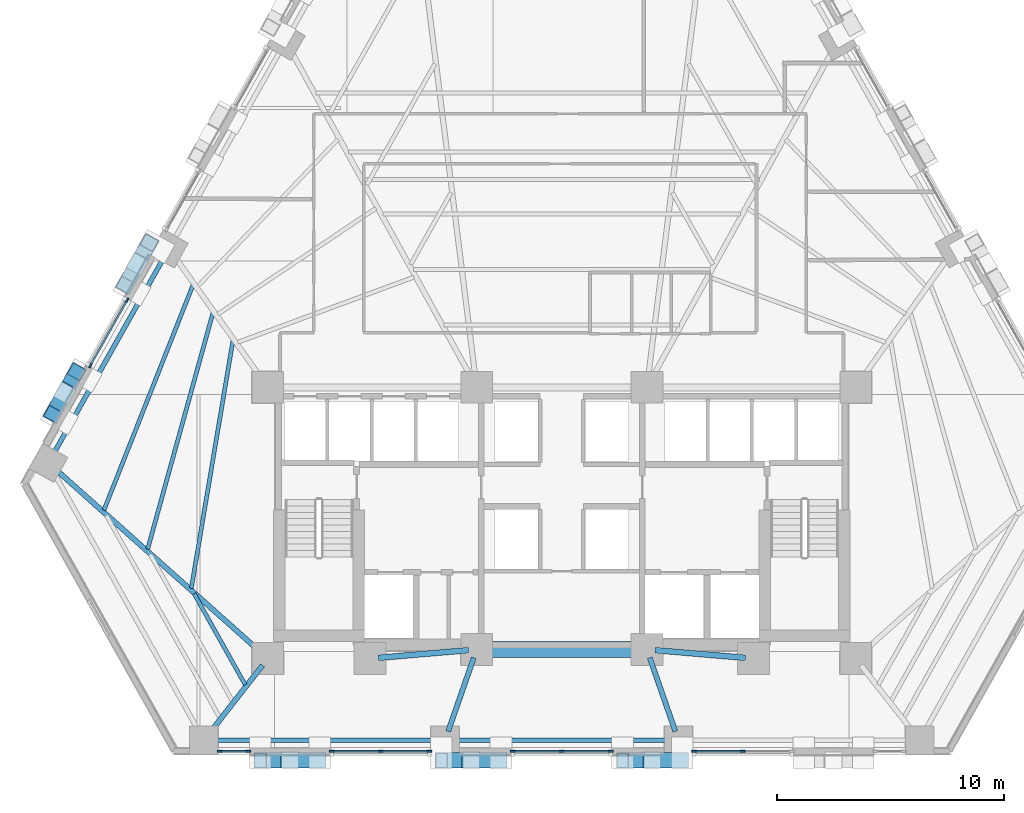
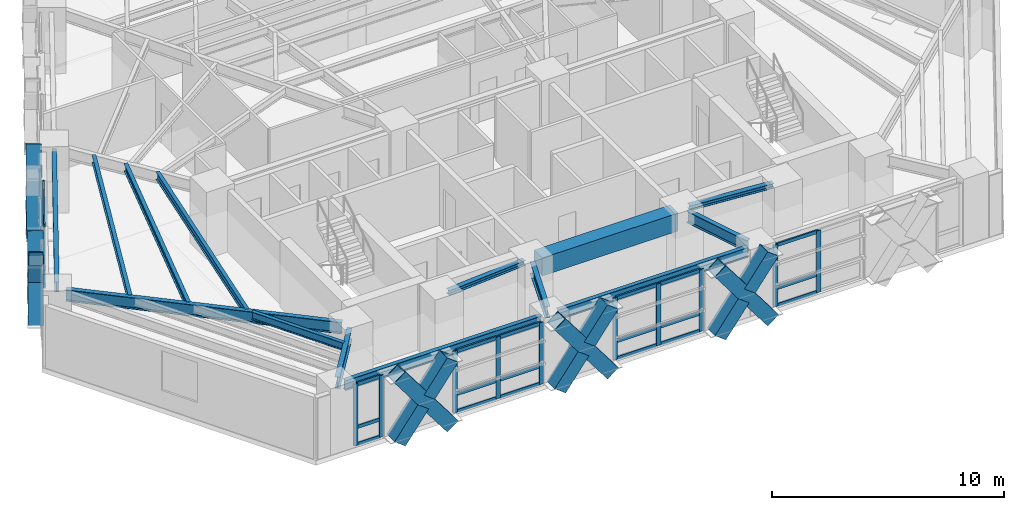
# One storey, part 2 of 13: 46 members, 14 beams, 5 elements without a shape of their own.
"""IFC4 building model written with IfcOpenShell, lengths in metres."""

from ifc_helpers import new_model, si_unit, direction, frame, origin, origin_2d, place, context, subcontext, project, spatial, rectangle, hollow_rectangle, i_section, extrude, material, material_profile, profile_set, type_object, element, aggregate, save


model = new_model("IFC4")

# Units and contexts
model_context = context("Model", 3, precision=1e-05, world=origin(), true_north=direction((0.0, 1.0)))
body_context = subcontext(model_context, "Body", "Model", "MODEL_VIEW")
ifc_project = project(units=[si_unit("LENGTHUNIT", "METRE"), si_unit("AREAUNIT", "SQUARE_METRE"), si_unit("VOLUMEUNIT", "CUBIC_METRE"), si_unit("PLANEANGLEUNIT", "RADIAN"), si_unit("MASSUNIT", "GRAM", prefix="KILO")], contexts=[model_context])

# Site, building, storey
site_placement = place(None, origin())
site = spatial("IfcSite", under=ifc_project, at=site_placement, CompositionType="ELEMENT")
building_placement = place(site_placement, origin())
building = spatial("IfcBuilding", under=site, at=building_placement, Name="Quenlor Broadcast Tower", CompositionType="ELEMENT")
storey_placement = place(building_placement, frame((0.0, 0.0, 41.60009765625)))
storey = spatial("IfcBuildingStorey", under=building, at=storey_placement, Name="L10", CompositionType="ELEMENT", Elevation=41.60009765625)

# Curtain wall, members
ifc_material_1 = material(Name="Architectural Terracotta and Low-E Glazing", Category="masonry")
curtain_wall_type = type_object("IfcCurtainWallType", Name="Unitised Terracotta Curtain Wall System Z1", PredefinedType="NOTDEFINED", material=ifc_material_1)
curtain_wall_1_placement = place(storey_placement, origin())
curtain_wall_1 = element("IfcCurtainWall", 1, at=curtain_wall_1_placement, inside=storey, type_object=curtain_wall_type, Name="L10 Curtain Wall CW1 (L10-SA-G2)", PredefinedType="NOTDEFINED")
ifc_material_2 = material(Name="Aluminium 6063-T6", Category="aluminium")
ifc_material_profile_1 = material_profile(ifc_material_2, rectangle(XDim=0.080078125, YDim=0.219970703125, at=origin_2d()))
ifc_profile_set_1 = profile_set([ifc_material_profile_1], Name="Aluminium 6063-T6 MULL80x220")
member_type_1 = type_object("IfcMemberType", Name="CW1 Aluminium Mullion MULL_CW1", PredefinedType="MULLION", material=ifc_profile_set_1)
member_1_placement = place(storey_placement, frame((7.982666015625, -20.840087890625, 0.0), z_axis=(0.0, 0.0, 1.0), x_axis=(0.0, -1.0, 0.0)))
member_1 = element("IfcMember", 2, at=member_1_placement, type_object=member_type_1, Name="CW1 mullion 2", PredefinedType="MULLION", context=body_context, shape_type="SweptSolid", body=[
    extrude(rectangle(XDim=0.080078125, YDim=0.219970703125, at=origin_2d()), origin(), (0.0, 0.0, 1.0), 3.25),
])
member_2_placement = place(storey_placement, frame((5.830810546875, -20.840087890625, 0.0), z_axis=(0.0, 0.0, 1.0), x_axis=(0.0, -1.0, 0.0)))
member_2 = element("IfcMember", 3, at=member_2_placement, type_object=member_type_1, Name="CW1 mullion 3", PredefinedType="MULLION", context=body_context, shape_type="SweptSolid", body=[
    extrude(rectangle(XDim=0.080078125, YDim=0.219970703125, at=origin_2d()), origin(), (0.0, 0.0, 1.0), 3.25),
])

curtain_wall_2_placement = place(storey_placement, origin())
curtain_wall_2 = element("IfcCurtainWall", 4, at=curtain_wall_2_placement, inside=storey, type_object=curtain_wall_type, Name="L10 Curtain Wall CW1 (L10-SC-G1)", PredefinedType="NOTDEFINED")
member_3_placement = place(storey_placement, frame((-5.830810546875, -20.840087890625, 0.0), z_axis=(0.0, 0.0, 1.0), x_axis=(0.0, -1.0, 0.0)))
member_3 = element("IfcMember", 5, at=member_3_placement, type_object=member_type_1, Name="CW1 mullion 1", PredefinedType="MULLION", context=body_context, shape_type="SweptSolid", body=[
    extrude(rectangle(XDim=0.080078125, YDim=0.219970703125, at=origin_2d()), origin(), (0.0, 0.0, 1.0), 3.25),
])
member_4_placement = place(storey_placement, frame((-7.982666015625, -20.840087890625, 0.0), z_axis=(0.0, 0.0, 1.0), x_axis=(0.0, -1.0, 0.0)))
member_4 = element("IfcMember", 6, at=member_4_placement, type_object=member_type_1, Name="CW1 mullion 2", PredefinedType="MULLION", context=body_context, shape_type="SweptSolid", body=[
    extrude(rectangle(XDim=0.080078125, YDim=0.219970703125, at=origin_2d()), origin(), (0.0, 0.0, 1.0), 3.25),
])
member_5_placement = place(storey_placement, frame((-10.134765625, -20.840087890625, 0.0), z_axis=(0.0, 0.0, 1.0), x_axis=(0.0, -1.0, 0.0)))
member_5 = element("IfcMember", 7, at=member_5_placement, type_object=member_type_1, Name="CW1 mullion 3", PredefinedType="MULLION", context=body_context, shape_type="SweptSolid", body=[
    extrude(rectangle(XDim=0.080078125, YDim=0.219970703125, at=origin_2d()), origin(), (0.0, 0.0, 1.0), 3.25),
])

curtain_wall_3_placement = place(storey_placement, origin())
curtain_wall_3 = element("IfcCurtainWall", 8, at=curtain_wall_3_placement, inside=storey, type_object=curtain_wall_type, Name="L10 Curtain Wall CW1 (L10-SC-G2)", PredefinedType="NOTDEFINED")
member_6_placement = place(storey_placement, frame((-13.806884765625, -20.840087890625, 0.0), z_axis=(0.0, 0.0, 1.0), x_axis=(0.0, -1.0, 0.0)))
member_6 = element("IfcMember", 9, at=member_6_placement, type_object=member_type_1, Name="CW1 mullion 1", PredefinedType="MULLION", context=body_context, shape_type="SweptSolid", body=[
    extrude(rectangle(XDim=0.080078125, YDim=0.219970703125, at=origin_2d()), origin(), (0.0, 0.0, 1.0), 3.25),
])
member_7_placement = place(storey_placement, frame((-15.0751953125, -20.840087890625, 0.0), z_axis=(0.0, 0.0, 1.0), x_axis=(0.0, -1.0, 0.0)))
member_7 = element("IfcMember", 10, at=member_7_placement, type_object=member_type_1, Name="CW1 mullion 2", PredefinedType="MULLION", context=body_context, shape_type="SweptSolid", body=[
    extrude(rectangle(XDim=0.080078125, YDim=0.219970703125, at=origin_2d()), origin(), (0.0, 0.0, 1.0), 3.25),
])

curtain_wall_4_placement = place(storey_placement, origin())
curtain_wall_4 = element("IfcCurtainWall", 11, at=curtain_wall_4_placement, inside=storey, type_object=curtain_wall_type, Name="L10 Curtain Wall CW1 (L10-S-G1)", PredefinedType="NOTDEFINED")
member_8_placement = place(storey_placement, frame((2.154296875, -20.840087890625, 0.0), z_axis=(0.0, 0.0, 1.0), x_axis=(0.0, -1.0, 0.0)))
member_8 = element("IfcMember", 12, at=member_8_placement, type_object=member_type_1, Name="CW1 mullion 1", PredefinedType="MULLION", context=body_context, shape_type="SweptSolid", body=[
    extrude(rectangle(XDim=0.080078125, YDim=0.219970703125, at=origin_2d()), origin(), (0.0, 0.0, 1.0), 3.25),
])
member_9_placement = place(storey_placement, frame((0.0, -20.840087890625, 0.0), z_axis=(0.0, 0.0, 1.0), x_axis=(0.0, -1.0, 0.0)))
member_9 = element("IfcMember", 13, at=member_9_placement, type_object=member_type_1, Name="CW1 mullion 2", PredefinedType="MULLION", context=body_context, shape_type="SweptSolid", body=[
    extrude(rectangle(XDim=0.080078125, YDim=0.219970703125, at=origin_2d()), origin(), (0.0, 0.0, 1.0), 3.25),
])
member_10_placement = place(storey_placement, frame((-2.154296875, -20.840087890625, 0.0), z_axis=(0.0, 0.0, 1.0), x_axis=(0.0, -1.0, 0.0)))
member_10 = element("IfcMember", 14, at=member_10_placement, type_object=member_type_1, Name="CW1 mullion 3", PredefinedType="MULLION", context=body_context, shape_type="SweptSolid", body=[
    extrude(rectangle(XDim=0.080078125, YDim=0.219970703125, at=origin_2d()), origin(), (0.0, 0.0, 1.0), 3.25),
])

curtain_wall_5_placement = place(storey_placement, origin())
curtain_wall_5 = element("IfcCurtainWall", 15, at=curtain_wall_5_placement, inside=storey, type_object=curtain_wall_type, Name="L10 Curtain Wall CW1 (L10-NWA-G1)", PredefinedType="NOTDEFINED")
member_11_placement = place(storey_placement, frame((-20.764892578125, -3.841552734375, 0.0), z_axis=(0.0, 0.0, 1.0), x_axis=(-0.871577906875, 0.49025702672, 0.0)))
member_11 = element("IfcMember", 16, at=member_11_placement, type_object=member_type_1, Name="CW1 mullion 1", PredefinedType="MULLION", context=body_context, shape_type="SweptSolid", body=[
    extrude(rectangle(XDim=0.080078125, YDim=0.219970703125, at=origin_2d()), origin(), (0.0, 0.0, 1.0), 3.25),
])
member_12_placement = place(storey_placement, frame((-19.146484375, -0.964599609375, 0.0), z_axis=(0.0, 0.0, 1.0), x_axis=(-0.871577906875, 0.49025702672, 0.0)))
member_12 = element("IfcMember", 17, at=member_12_placement, type_object=member_type_1, Name="CW1 mullion 2", PredefinedType="MULLION", context=body_context, shape_type="SweptSolid", body=[
    extrude(rectangle(XDim=0.080078125, YDim=0.219970703125, at=origin_2d()), origin(), (0.0, 0.0, 1.0), 3.25),
])

# Member
ifc_material_3 = material(Name="Aluminium 6063-T6", Category="aluminium")
ifc_material_profile_2 = material_profile(ifc_material_3, rectangle(XDim=0.080078125, YDim=0.179931640625, at=origin_2d()))
ifc_profile_set_2 = profile_set([ifc_material_profile_2], Name="Aluminium 6063-T6 TRAN80x180")
member_type_2 = type_object("IfcMemberType", Name="CW1 Aluminium Transom TRAN_CW1", PredefinedType="USERDEFINED", material=ifc_profile_set_2)
member_13_placement = place(storey_placement, frame((7.94287109375, -20.840087890625, 0.039794921875), z_axis=(-1.0, 0.0, 0.0), x_axis=(0.0, -1.0, 0.0)))
member_13 = element("IfcMember", 18, at=member_13_placement, type_object=member_type_2, Name="CW1 transom 2.1", ObjectType="TRANSOM", PredefinedType="USERDEFINED", context=body_context, shape_type="SweptSolid", body=[
    extrude(rectangle(XDim=0.080078125, YDim=0.179931640625, at=origin_2d()), origin(), (0.0, 0.0, 1.0), 2.072021484375),
])

member_14_placement = place(storey_placement, frame((7.94287109375, -20.840087890625, 0.949951171875), z_axis=(-1.0, 0.0, 0.0), x_axis=(0.0, -1.0, 0.0)))
member_14 = element("IfcMember", 19, at=member_14_placement, type_object=member_type_2, Name="CW1 transom 2.2", ObjectType="TRANSOM", PredefinedType="USERDEFINED", context=body_context, shape_type="SweptSolid", body=[
    extrude(rectangle(XDim=0.080078125, YDim=0.179931640625, at=origin_2d()), origin(), (0.0, 0.0, 1.0), 2.072021484375),
])

member_15_placement = place(storey_placement, frame((7.94287109375, -20.840087890625, 3.2099609375), z_axis=(-1.0, 0.0, 0.0), x_axis=(0.0, -1.0, 0.0)))
member_15 = element("IfcMember", 20, at=member_15_placement, type_object=member_type_2, Name="CW1 transom 2.3", ObjectType="TRANSOM", PredefinedType="USERDEFINED", context=body_context, shape_type="SweptSolid", body=[
    extrude(rectangle(XDim=0.080078125, YDim=0.179931640625, at=origin_2d()), origin(), (0.0, 0.0, 1.0), 2.072021484375),
])

aggregate(curtain_wall_1, [member_1, member_2, member_13, member_14, member_15])

member_16_placement = place(storey_placement, frame((-5.870849609375, -20.840087890625, 0.039794921875), z_axis=(-1.0, 0.0, 0.0), x_axis=(0.0, -1.0, 0.0)))
member_16 = element("IfcMember", 21, at=member_16_placement, type_object=member_type_2, Name="CW1 transom 1.1", ObjectType="TRANSOM", PredefinedType="USERDEFINED", context=body_context, shape_type="SweptSolid", body=[
    extrude(rectangle(XDim=0.080078125, YDim=0.179931640625, at=origin_2d()), origin(), (0.0, 0.0, 1.0), 2.072021484375),
])

member_17_placement = place(storey_placement, frame((-5.870849609375, -20.840087890625, 0.949951171875), z_axis=(-1.0, 0.0, 0.0), x_axis=(0.0, -1.0, 0.0)))
member_17 = element("IfcMember", 22, at=member_17_placement, type_object=member_type_2, Name="CW1 transom 1.2", ObjectType="TRANSOM", PredefinedType="USERDEFINED", context=body_context, shape_type="SweptSolid", body=[
    extrude(rectangle(XDim=0.080078125, YDim=0.179931640625, at=origin_2d()), origin(), (0.0, 0.0, 1.0), 2.072021484375),
])

member_18_placement = place(storey_placement, frame((-5.870849609375, -20.840087890625, 3.2099609375), z_axis=(-1.0, 0.0, 0.0), x_axis=(0.0, -1.0, 0.0)))
member_18 = element("IfcMember", 23, at=member_18_placement, type_object=member_type_2, Name="CW1 transom 1.3", ObjectType="TRANSOM", PredefinedType="USERDEFINED", context=body_context, shape_type="SweptSolid", body=[
    extrude(rectangle(XDim=0.080078125, YDim=0.179931640625, at=origin_2d()), origin(), (0.0, 0.0, 1.0), 2.072021484375),
])

member_19_placement = place(storey_placement, frame((-8.022705078125, -20.840087890625, 0.039794921875), z_axis=(-1.0, 0.0, 0.0), x_axis=(0.0, -1.0, 0.0)))
member_19 = element("IfcMember", 24, at=member_19_placement, type_object=member_type_2, Name="CW1 transom 2.1", ObjectType="TRANSOM", PredefinedType="USERDEFINED", context=body_context, shape_type="SweptSolid", body=[
    extrude(rectangle(XDim=0.080078125, YDim=0.179931640625, at=origin_2d()), origin(), (0.0, 0.0, 1.0), 2.072021484375),
])

member_20_placement = place(storey_placement, frame((-8.022705078125, -20.840087890625, 0.949951171875), z_axis=(-1.0, 0.0, 0.0), x_axis=(0.0, -1.0, 0.0)))
member_20 = element("IfcMember", 25, at=member_20_placement, type_object=member_type_2, Name="CW1 transom 2.2", ObjectType="TRANSOM", PredefinedType="USERDEFINED", context=body_context, shape_type="SweptSolid", body=[
    extrude(rectangle(XDim=0.080078125, YDim=0.179931640625, at=origin_2d()), origin(), (0.0, 0.0, 1.0), 2.072021484375),
])

member_21_placement = place(storey_placement, frame((-8.022705078125, -20.840087890625, 3.2099609375), z_axis=(-1.0, 0.0, 0.0), x_axis=(0.0, -1.0, 0.0)))
member_21 = element("IfcMember", 26, at=member_21_placement, type_object=member_type_2, Name="CW1 transom 2.3", ObjectType="TRANSOM", PredefinedType="USERDEFINED", context=body_context, shape_type="SweptSolid", body=[
    extrude(rectangle(XDim=0.080078125, YDim=0.179931640625, at=origin_2d()), origin(), (0.0, 0.0, 1.0), 2.072021484375),
])

aggregate(curtain_wall_2, [member_3, member_4, member_5, member_16, member_17, member_18, member_19, member_20, member_21])

member_22_placement = place(storey_placement, frame((-13.8466796875, -20.840087890625, 0.039794921875), z_axis=(-1.0, 0.0, 0.0), x_axis=(0.0, -1.0, 0.0)))
member_22 = element("IfcMember", 27, at=member_22_placement, type_object=member_type_2, Name="CW1 transom 1.1", ObjectType="TRANSOM", PredefinedType="USERDEFINED", context=body_context, shape_type="SweptSolid", body=[
    extrude(rectangle(XDim=0.080078125, YDim=0.179931640625, at=origin_2d()), origin(), (0.0, 0.0, 1.0), 1.1884765625),
])

member_23_placement = place(storey_placement, frame((-13.8466796875, -20.840087890625, 0.949951171875), z_axis=(-1.0, 0.0, 0.0), x_axis=(0.0, -1.0, 0.0)))
member_23 = element("IfcMember", 28, at=member_23_placement, type_object=member_type_2, Name="CW1 transom 1.2", ObjectType="TRANSOM", PredefinedType="USERDEFINED", context=body_context, shape_type="SweptSolid", body=[
    extrude(rectangle(XDim=0.080078125, YDim=0.179931640625, at=origin_2d()), origin(), (0.0, 0.0, 1.0), 1.1884765625),
])

member_24_placement = place(storey_placement, frame((-13.8466796875, -20.840087890625, 3.2099609375), z_axis=(-1.0, 0.0, 0.0), x_axis=(0.0, -1.0, 0.0)))
member_24 = element("IfcMember", 29, at=member_24_placement, type_object=member_type_2, Name="CW1 transom 1.3", ObjectType="TRANSOM", PredefinedType="USERDEFINED", context=body_context, shape_type="SweptSolid", body=[
    extrude(rectangle(XDim=0.080078125, YDim=0.179931640625, at=origin_2d()), origin(), (0.0, 0.0, 1.0), 1.1884765625),
])

aggregate(curtain_wall_3, [member_6, member_7, member_22, member_23, member_24])

member_25_placement = place(storey_placement, frame((2.1142578125, -20.840087890625, 0.039794921875), z_axis=(-1.0, 0.0, 0.0), x_axis=(0.0, -1.0, 0.0)))
member_25 = element("IfcMember", 30, at=member_25_placement, type_object=member_type_2, Name="CW1 transom 1.1", ObjectType="TRANSOM", PredefinedType="USERDEFINED", context=body_context, shape_type="SweptSolid", body=[
    extrude(rectangle(XDim=0.080078125, YDim=0.179931640625, at=origin_2d()), origin(), (0.0, 0.0, 1.0), 2.07421875),
])

member_26_placement = place(storey_placement, frame((2.1142578125, -20.840087890625, 0.949951171875), z_axis=(-1.0, 0.0, 0.0), x_axis=(0.0, -1.0, 0.0)))
member_26 = element("IfcMember", 31, at=member_26_placement, type_object=member_type_2, Name="CW1 transom 1.2", ObjectType="TRANSOM", PredefinedType="USERDEFINED", context=body_context, shape_type="SweptSolid", body=[
    extrude(rectangle(XDim=0.080078125, YDim=0.179931640625, at=origin_2d()), origin(), (0.0, 0.0, 1.0), 2.07421875),
])

member_27_placement = place(storey_placement, frame((2.1142578125, -20.840087890625, 3.2099609375), z_axis=(-1.0, 0.0, 0.0), x_axis=(0.0, -1.0, 0.0)))
member_27 = element("IfcMember", 32, at=member_27_placement, type_object=member_type_2, Name="CW1 transom 1.3", ObjectType="TRANSOM", PredefinedType="USERDEFINED", context=body_context, shape_type="SweptSolid", body=[
    extrude(rectangle(XDim=0.080078125, YDim=0.179931640625, at=origin_2d()), origin(), (0.0, 0.0, 1.0), 2.07421875),
])

member_28_placement = place(storey_placement, frame((-0.0400390625, -20.840087890625, 0.039794921875), z_axis=(-1.0, 0.0, 0.0), x_axis=(0.0, -1.0, 0.0)))
member_28 = element("IfcMember", 33, at=member_28_placement, type_object=member_type_2, Name="CW1 transom 2.1", ObjectType="TRANSOM", PredefinedType="USERDEFINED", context=body_context, shape_type="SweptSolid", body=[
    extrude(rectangle(XDim=0.080078125, YDim=0.179931640625, at=origin_2d()), origin(), (0.0, 0.0, 1.0), 2.07421875),
])

member_29_placement = place(storey_placement, frame((-0.0400390625, -20.840087890625, 0.949951171875), z_axis=(-1.0, 0.0, 0.0), x_axis=(0.0, -1.0, 0.0)))
member_29 = element("IfcMember", 34, at=member_29_placement, type_object=member_type_2, Name="CW1 transom 2.2", ObjectType="TRANSOM", PredefinedType="USERDEFINED", context=body_context, shape_type="SweptSolid", body=[
    extrude(rectangle(XDim=0.080078125, YDim=0.179931640625, at=origin_2d()), origin(), (0.0, 0.0, 1.0), 2.07421875),
])

member_30_placement = place(storey_placement, frame((-0.0400390625, -20.840087890625, 3.2099609375), z_axis=(-1.0, 0.0, 0.0), x_axis=(0.0, -1.0, 0.0)))
member_30 = element("IfcMember", 35, at=member_30_placement, type_object=member_type_2, Name="CW1 transom 2.3", ObjectType="TRANSOM", PredefinedType="USERDEFINED", context=body_context, shape_type="SweptSolid", body=[
    extrude(rectangle(XDim=0.080078125, YDim=0.179931640625, at=origin_2d()), origin(), (0.0, 0.0, 1.0), 2.07421875),
])

aggregate(curtain_wall_4, [member_8, member_9, member_10, member_25, member_26, member_27, member_28, member_29, member_30])

member_31_placement = place(storey_placement, frame((-20.7451171875, -3.806884765625, 0.039794921875), z_axis=(0.490250443683, 0.871581609758, 0.0), x_axis=(-0.871581609758, 0.490250443683, 0.0)))
member_31 = element("IfcMember", 36, at=member_31_placement, type_object=member_type_2, Name="CW1 transom 1.1", ObjectType="TRANSOM", PredefinedType="USERDEFINED", context=body_context, shape_type="SweptSolid", body=[
    extrude(rectangle(XDim=0.080078125, YDim=0.179931640625, at=origin_2d()), origin(), (0.0, 0.0, 1.0), 3.220947265625),
])

member_32_placement = place(storey_placement, frame((-20.7451171875, -3.806884765625, 0.949951171875), z_axis=(0.490250443683, 0.871581609758, 0.0), x_axis=(-0.871581609758, 0.490250443683, 0.0)))
member_32 = element("IfcMember", 37, at=member_32_placement, type_object=member_type_2, Name="CW1 transom 1.2", ObjectType="TRANSOM", PredefinedType="USERDEFINED", context=body_context, shape_type="SweptSolid", body=[
    extrude(rectangle(XDim=0.080078125, YDim=0.179931640625, at=origin_2d()), origin(), (0.0, 0.0, 1.0), 3.220947265625),
])

member_33_placement = place(storey_placement, frame((-20.7451171875, -3.806884765625, 3.2099609375), z_axis=(0.490250443683, 0.871581609758, 0.0), x_axis=(-0.871581609758, 0.490250443683, 0.0)))
member_33 = element("IfcMember", 38, at=member_33_placement, type_object=member_type_2, Name="CW1 transom 1.3", ObjectType="TRANSOM", PredefinedType="USERDEFINED", context=body_context, shape_type="SweptSolid", body=[
    extrude(rectangle(XDim=0.080078125, YDim=0.179931640625, at=origin_2d()), origin(), (0.0, 0.0, 1.0), 3.220947265625),
])

aggregate(curtain_wall_5, [member_11, member_12, member_31, member_32, member_33])

# Beams
ifc_material_4 = material(Name="Concrete C50/60", Category="concrete")
ifc_material_profile_3 = material_profile(ifc_material_4, rectangle(XDim=0.699951171875, YDim=0.949951171875, at=origin_2d()))
ifc_profile_set_3 = profile_set([ifc_material_profile_3], Name="Concrete C50/60 RCB700x950")
beam_type_1 = type_object("IfcBeamType", Name="Core Coupling Beam Concrete C50/60 700x950", PredefinedType="BEAM", material=ifc_profile_set_3)
beam_1_placement = place(storey_placement, frame((-3.389892578125, -16.35009765625, 2.77490234375), z_axis=(1.0, 0.0, 0.0), x_axis=(0.0, 1.0, 0.0)))
element("IfcBeam", 39, at=beam_1_placement, inside=storey, type_object=beam_type_1, Name="L10 Core Coupling Beam 6", PredefinedType="BEAM", context=body_context, shape_type="SweptSolid", body=[
    extrude(rectangle(XDim=0.699951171875, YDim=0.949951171875, at=origin_2d()), origin(), (0.0, 0.0, 1.0), 6.77978515625),
])
ifc_material_5 = material(Name="Steel S355", Category="steel")
ifc_material_profile_4 = material_profile(ifc_material_5, i_section(OverallWidth=0.25390625, OverallDepth=0.25390625, WebThickness=0.008544921875, FlangeThickness=0.01416015625, FilletRadius=0.013916015625, at=origin_2d()))
ifc_profile_set_4 = profile_set([ifc_material_profile_4], Name="Steel S355 250UC72.9")
beam_type_2 = type_object("IfcBeamType", Name="Core Opening Lintel Beam Steel S355 250UC72.9", PredefinedType="LINTEL", material=ifc_profile_set_4)
for number, where, z_axis, x_axis, name in (
    (40, (-8.09130859375, -16.719482421875, 3.123046875), (0.996399763903, 0.084779186679, 0.0), (-0.084779186679, 0.996399763903, 0.0), "L10 Core Opening Lintel Beam 4"),
    (41, (4.108642578125, -16.380615234375, 3.123046875), (0.996399763903, -0.084779186679, 0.0), (0.084779186679, 0.996399763903, 0.0), "L10 Core Opening Lintel Beam 5"),
):
    element("IfcBeam", number, at=place(storey_placement, frame(where, z_axis=z_axis, x_axis=x_axis)), inside=storey, type_object=beam_type_2, Name=name, PredefinedType="LINTEL", context=body_context, shape_type="SweptSolid", body=[
        extrude(i_section(OverallWidth=0.25390625, OverallDepth=0.25390625, WebThickness=0.008544921875, FlangeThickness=0.01416015625, FilletRadius=0.013916015625, at=origin_2d()), origin(), (0.0, 0.0, 1.0), 3.9970703125),
    ])

# Members
ifc_material_6 = material(Name="Steel S355", Category="steel")
ifc_material_profile_5 = material_profile(ifc_material_6, hollow_rectangle(XDim=0.679931640625, YDim=0.679931640625, WallThickness=0.034912109375, at=origin_2d()))
ifc_profile_set_5 = profile_set([ifc_material_profile_5], Name="Steel S355 RHS680x680x35")
member_type_3 = type_object("IfcMemberType", Name="Perimeter Diagonal Lattice Brace Z1 Steel S355 RHS680x35", PredefinedType="BRACE", material=ifc_profile_set_5)
member_34_placement = place(storey_placement, frame((5.304443359375, -21.235107421875, -0.1201171875), z_axis=(-0.60049964856, 0.0, 0.799625019668), x_axis=(0.0, -1.0, 0.0)))
element("IfcMember", 42, at=member_34_placement, inside=storey, type_object=member_type_3, Name="L10 Perimeter Diamond Lattice S-C2XA", PredefinedType="BRACE", context=body_context, shape_type="SweptSolid", body=[
    extrude(hollow_rectangle(XDim=0.679931640625, YDim=0.679931640625, WallThickness=0.034912109375, at=origin_2d()), origin(), (0.0, 0.0, 1.0), 4.376953125),
])
for number, where, z_axis, x_axis, name in (
    (43, (2.676025390625, -21.235107421875, -0.1201171875), (0.600503659272, 0.0, 0.799622007701), (0.0, 1.0, 0.0), "L10 Perimeter Diamond Lattice S-C2XB1"),
    (44, (4.140380859375, -21.235107421875, 1.829833984375), (0.600503659272, 0.0, 0.799622007701), (0.0, 1.0, 0.0), "L10 Perimeter Diamond Lattice S-C2XB2"),
):
    element("IfcMember", number, at=place(storey_placement, frame(where, z_axis=z_axis, x_axis=x_axis)), inside=storey, type_object=member_type_3, Name=name, PredefinedType="BRACE", context=body_context, shape_type="SweptSolid", body=[
        extrude(hollow_rectangle(XDim=0.679931640625, YDim=0.679931640625, WallThickness=0.034912109375, at=origin_2d()), origin(), (0.0, 0.0, 1.0), 1.9384765625),
    ])
member_35_placement = place(storey_placement, frame((-2.676025390625, -21.235107421875, -0.1201171875), z_axis=(-0.60049964856, 0.0, 0.799625019668), x_axis=(0.0, -1.0, 0.0)))
element("IfcMember", 45, at=member_35_placement, inside=storey, type_object=member_type_3, Name="L10 Perimeter Diamond Lattice S-C3XA", PredefinedType="BRACE", context=body_context, shape_type="SweptSolid", body=[
    extrude(hollow_rectangle(XDim=0.679931640625, YDim=0.679931640625, WallThickness=0.034912109375, at=origin_2d()), origin(), (0.0, 0.0, 1.0), 4.376953125),
])
for number, where, z_axis, x_axis, name in (
    (46, (-5.304443359375, -21.235107421875, -0.1201171875), (0.600503659272, 0.0, 0.799622007701), (0.0, 1.0, 0.0), "L10 Perimeter Diamond Lattice S-C3XB1"),
    (47, (-3.840087890625, -21.235107421875, 1.829833984375), (0.600503659272, 0.0, 0.799622007701), (0.0, 1.0, 0.0), "L10 Perimeter Diamond Lattice S-C3XB2"),
):
    element("IfcMember", number, at=place(storey_placement, frame(where, z_axis=z_axis, x_axis=x_axis)), inside=storey, type_object=member_type_3, Name=name, PredefinedType="BRACE", context=body_context, shape_type="SweptSolid", body=[
        extrude(hollow_rectangle(XDim=0.679931640625, YDim=0.679931640625, WallThickness=0.034912109375, at=origin_2d()), origin(), (0.0, 0.0, 1.0), 1.9384765625),
    ])
member_36_placement = place(storey_placement, frame((-10.656494140625, -21.235107421875, -0.1201171875), z_axis=(-0.60049964856, 0.0, 0.799625019668), x_axis=(0.0, -1.0, 0.0)))
element("IfcMember", 48, at=member_36_placement, inside=storey, type_object=member_type_3, Name="L10 Perimeter Diamond Lattice S-C4XA", PredefinedType="BRACE", context=body_context, shape_type="SweptSolid", body=[
    extrude(hollow_rectangle(XDim=0.679931640625, YDim=0.679931640625, WallThickness=0.034912109375, at=origin_2d()), origin(), (0.0, 0.0, 1.0), 4.376953125),
])
for number, where, z_axis, x_axis, name in (
    (49, (-13.284912109375, -21.235107421875, -0.1201171875), (0.600503659272, 0.0, 0.799622007701), (0.0, 1.0, 0.0), "L10 Perimeter Diamond Lattice S-C4XB1"),
    (50, (-11.820556640625, -21.235107421875, 1.829833984375), (0.600503659272, 0.0, 0.799622007701), (0.0, 1.0, 0.0), "L10 Perimeter Diamond Lattice S-C4XB2"),
):
    element("IfcMember", number, at=place(storey_placement, frame(where, z_axis=z_axis, x_axis=x_axis)), inside=storey, type_object=member_type_3, Name=name, PredefinedType="BRACE", context=body_context, shape_type="SweptSolid", body=[
        extrude(hollow_rectangle(XDim=0.679931640625, YDim=0.679931640625, WallThickness=0.034912109375, at=origin_2d()), origin(), (0.0, 0.0, 1.0), 1.9384765625),
    ])
member_37_placement = place(storey_placement, frame((-22.4248046875, -5.98681640625, -0.1201171875), z_axis=(0.256430888508, 0.455784649039, 0.8523517778), x_axis=(-0.871533027316, 0.490336804959, 0.0)))
element("IfcMember", 51, at=member_37_placement, inside=storey, type_object=member_type_3, Name="L10 Perimeter Diamond Lattice NW-C1XA", PredefinedType="BRACE", context=body_context, shape_type="SweptSolid", body=[
    extrude(hollow_rectangle(XDim=0.679931640625, YDim=0.679931640625, WallThickness=0.034912109375, at=origin_2d()), origin(), (0.0, 0.0, 1.0), 4.106201171875),
])
for number, where, z_axis, x_axis, name in (
    (52, (-21.371826171875, -4.115234375, -0.1201171875), (-0.256451721554, -0.455763724789, 0.852356698618), (0.871506382136, -0.490384161547, 0.0), "L10 Perimeter Diamond Lattice NW-C1XB1"),
    (53, (-21.96240234375, -5.1650390625, 1.843017578125), (-0.256451721554, -0.455763724789, 0.852356698618), (0.871506382136, -0.490384161547, 0.0), "L10 Perimeter Diamond Lattice NW-C1XB2"),
):
    element("IfcMember", number, at=place(storey_placement, frame(where, z_axis=z_axis, x_axis=x_axis)), inside=storey, type_object=member_type_3, Name=name, PredefinedType="BRACE", context=body_context, shape_type="SweptSolid", body=[
        extrude(hollow_rectangle(XDim=0.679931640625, YDim=0.679931640625, WallThickness=0.034912109375, at=origin_2d()), origin(), (0.0, 0.0, 1.0), 1.802978515625),
    ])
member_38_placement = place(storey_placement, frame((-19.22802734375, -0.3037109375, -0.1201171875), z_axis=(0.256430888508, 0.455784649039, 0.8523517778), x_axis=(-0.871533027316, 0.490336804959, 0.0)))
element("IfcMember", 54, at=member_38_placement, inside=storey, type_object=member_type_3, Name="L10 Perimeter Diamond Lattice NW-C2XA", PredefinedType="BRACE", context=body_context, shape_type="SweptSolid", body=[
    extrude(hollow_rectangle(XDim=0.679931640625, YDim=0.679931640625, WallThickness=0.034912109375, at=origin_2d()), origin(), (0.0, 0.0, 1.0), 4.106201171875),
])

# Beams
ifc_material_7 = material(Name="Steel S355", Category="steel")
ifc_material_profile_6 = material_profile(ifc_material_7, i_section(OverallWidth=0.208984375, OverallDepth=0.532958984375, WebThickness=0.01025390625, FlangeThickness=0.015625, FilletRadius=0.013916015625, at=origin_2d()))
ifc_profile_set_6 = profile_set([ifc_material_profile_6], Name="Steel S355 530UB92.4")
beam_type_3 = type_object("IfcBeamType", Name="Perimeter Spandrel Beam Z1 Steel S355 530UB92.4", PredefinedType="SPANDREL", material=ifc_profile_set_6)
beam_2_placement = place(storey_placement, frame((-15.35498046875, -20.35009765625, 2.9833984375), z_axis=(1.0, 0.0, 0.0), x_axis=(0.0, 1.0, 0.0)))
element("IfcBeam", 55, at=beam_2_placement, inside=storey, type_object=beam_type_3, Name="L10 Spandrel Beam S1-S2", PredefinedType="SPANDREL", context=body_context, shape_type="SweptSolid", body=[
    extrude(i_section(OverallWidth=0.208984375, OverallDepth=0.532958984375, WebThickness=0.01025390625, FlangeThickness=0.015625, FilletRadius=0.013916015625, at=origin_2d()), origin(), (0.0, 0.0, 1.0), 9.80419921875),
])
beam_3_placement = place(storey_placement, frame((-4.730712890625, -20.35009765625, 2.9833984375), z_axis=(1.0, 0.0, 0.0), x_axis=(0.0, 1.0, 0.0)))
element("IfcBeam", 56, at=beam_3_placement, inside=storey, type_object=beam_type_3, Name="L10 Spandrel Beam S2-S3", PredefinedType="SPANDREL", context=body_context, shape_type="SweptSolid", body=[
    extrude(i_section(OverallWidth=0.208984375, OverallDepth=0.532958984375, WebThickness=0.01025390625, FlangeThickness=0.015625, FilletRadius=0.013916015625, at=origin_2d()), origin(), (0.0, 0.0, 1.0), 9.46142578125),
])
beam_4_placement = place(storey_placement, frame((-17.5048828125, 0.954345703125, 2.9833984375), z_axis=(-0.490257767622, -0.871577490121, 0.0), x_axis=(0.871577490121, -0.490257767622, 0.0)))
element("IfcBeam", 57, at=beam_4_placement, inside=storey, type_object=beam_type_3, Name="L10 Spandrel Beam NW3-NW4", PredefinedType="SPANDREL", context=body_context, shape_type="SweptSolid", body=[
    extrude(i_section(OverallWidth=0.208984375, OverallDepth=0.532958984375, WebThickness=0.01025390625, FlangeThickness=0.015625, FilletRadius=0.013916015625, at=origin_2d()), origin(), (0.0, 0.0, 1.0), 10.015380859375),
])
ifc_material_8 = material(Name="Steel S355", Category="steel")
ifc_material_profile_7 = material_profile(ifc_material_8, i_section(OverallWidth=0.177978515625, OverallDepth=0.406494140625, WebThickness=0.0078125, FlangeThickness=0.0126953125, FilletRadius=0.011474609375, at=origin_2d()))
ifc_profile_set_7 = profile_set([ifc_material_profile_7], Name="Steel S355 410UB59.7")
beam_type_4 = type_object("IfcBeamType", Name="Tower Composite Joist Z1 Steel S355 410UB59.7", PredefinedType="JOIST", material=ifc_profile_set_7)
beam_5_placement = place(storey_placement, frame((-16.31982421875, -13.65478515625, 3.046630859375), z_axis=(0.16559360599, 0.986194077074, 0.0), x_axis=(-0.986194077074, 0.16559360599, 0.0)))
element("IfcBeam", 58, at=beam_5_placement, inside=storey, type_object=beam_type_4, Name="L10 Secondary Composite Joist 13", PredefinedType="JOIST", context=body_context, shape_type="SweptSolid", body=[
    extrude(i_section(OverallWidth=0.177978515625, OverallDepth=0.406494140625, WebThickness=0.0078125, FlangeThickness=0.0126953125, FilletRadius=0.011474609375, at=origin_2d()), origin(), (0.0, 0.0, 1.0), 11.06787109375),
])
beam_6_placement = place(storey_placement, frame((-18.2451171875, -11.93310546875, 3.046630859375), z_axis=(0.266390054368, 0.963865311615, 0.0), x_axis=(-0.963865311615, 0.266390054368, 0.0)))
element("IfcBeam", 59, at=beam_6_placement, inside=storey, type_object=beam_type_4, Name="L10 Secondary Composite Joist 14", PredefinedType="JOIST", context=body_context, shape_type="SweptSolid", body=[
    extrude(i_section(OverallWidth=0.177978515625, OverallDepth=0.406494140625, WebThickness=0.0078125, FlangeThickness=0.0126953125, FilletRadius=0.011474609375, at=origin_2d()), origin(), (0.0, 0.0, 1.0), 10.80810546875),
])
beam_7_placement = place(storey_placement, frame((-20.170166015625, -10.212158203125, 3.046630859375), z_axis=(0.367884833597, 0.929871361646, 0.0), x_axis=(-0.929871361646, 0.367884833597, 0.0)))
element("IfcBeam", 60, at=beam_7_placement, inside=storey, type_object=beam_type_4, Name="L10 Secondary Composite Joist 15", PredefinedType="JOIST", context=body_context, shape_type="SweptSolid", body=[
    extrude(i_section(OverallWidth=0.177978515625, OverallDepth=0.406494140625, WebThickness=0.0078125, FlangeThickness=0.0126953125, FilletRadius=0.011474609375, at=origin_2d()), origin(), (0.0, 0.0, 1.0), 10.669921875),
])
beam_8_placement = place(storey_placement, frame((-13.9462890625, -17.904296875, 3.046630859375), z_axis=(-0.489062021968, 0.872249011848, 0.0), x_axis=(-0.872249011848, -0.489062021968, 0.0)))
element("IfcBeam", 61, at=beam_8_placement, inside=storey, type_object=beam_type_4, Name="L10 Secondary Composite Joist 19", PredefinedType="JOIST", context=body_context, shape_type="SweptSolid", body=[
    extrude(i_section(OverallWidth=0.177978515625, OverallDepth=0.406494140625, WebThickness=0.0078125, FlangeThickness=0.0126953125, FilletRadius=0.011474609375, at=origin_2d()), origin(), (0.0, 0.0, 1.0), 4.6025390625),
])
ifc_material_9 = material(Name="Steel S355", Category="steel")
ifc_material_profile_8 = material_profile(ifc_material_9, i_section(OverallWidth=0.22900390625, OverallDepth=0.611572265625, WebThickness=0.011962890625, FlangeThickness=0.01953125, FilletRadius=0.013916015625, at=origin_2d()))
ifc_profile_set_8 = profile_set([ifc_material_profile_8], Name="Steel S355 610UB125")
beam_type_5 = type_object("IfcBeamType", Name="Tower Primary Floor Beam Z1 Steel S355 610UB125", PredefinedType="BEAM", material=ifc_profile_set_8)
beam_9_placement = place(storey_placement, frame((-15.512451171875, -20.027099609375, 2.944091796875), z_axis=(0.615968610193, 0.78777069713, 0.0), x_axis=(-0.78777069713, 0.615968610193, 0.0)))
element("IfcBeam", 62, at=beam_9_placement, inside=storey, type_object=beam_type_5, Name="L10 Primary Radial Beam S1", PredefinedType="BEAM", context=body_context, shape_type="SweptSolid", body=[
    extrude(i_section(OverallWidth=0.22900390625, OverallDepth=0.611572265625, WebThickness=0.011962890625, FlangeThickness=0.01953125, FilletRadius=0.013916015625, at=origin_2d()), origin(), (0.0, 0.0, 1.0), 3.780029296875),
])
for number, where, z_axis, x_axis, name in (
    (63, (-5.006103515625, -19.962646484375, 2.944091796875), (0.328427161327, 0.944529300606, 0.0), (-0.944529300606, 0.328427161327, 0.0), "L10 Primary Radial Beam S2"),
    (64, (5.006103515625, -19.962646484375, 2.944091796875), (-0.328427161327, 0.944529300606, 0.0), (-0.944529300606, -0.328427161327, 0.0), "L10 Primary Radial Beam S3"),
):
    element("IfcBeam", number, at=place(storey_placement, frame(where, z_axis=z_axis, x_axis=x_axis)), inside=storey, type_object=beam_type_5, Name=name, PredefinedType="BEAM", context=body_context, shape_type="SweptSolid", body=[
        extrude(i_section(OverallWidth=0.22900390625, OverallDepth=0.611572265625, WebThickness=0.011962890625, FlangeThickness=0.01953125, FilletRadius=0.013916015625, at=origin_2d()), origin(), (0.0, 0.0, 1.0), 3.44482421875),
    ])
beam_10_placement = place(storey_placement, frame((-22.31005859375, -8.40478515625, 2.944091796875), z_axis=(0.746413754585, -0.665482161268, 0.0), x_axis=(0.665482161268, 0.746413754585, 0.0)))
element("IfcBeam", 65, at=beam_10_placement, inside=storey, type_object=beam_type_5, Name="L10 Primary Radial Beam NW4", PredefinedType="BEAM", context=body_context, shape_type="SweptSolid", body=[
    extrude(i_section(OverallWidth=0.22900390625, OverallDepth=0.611572265625, WebThickness=0.011962890625, FlangeThickness=0.01953125, FilletRadius=0.013916015625, at=origin_2d()), origin(), (0.0, 0.0, 1.0), 12.159912109375),
])

save(model, "model.ifc")
